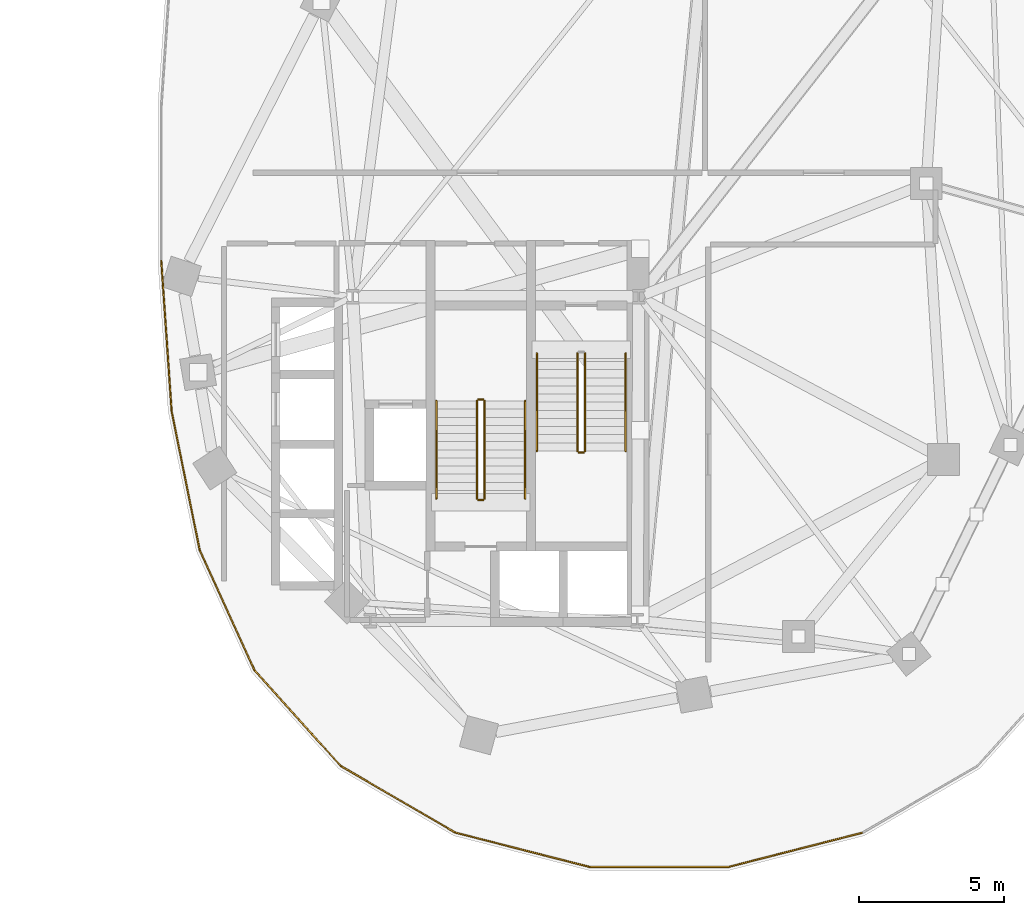
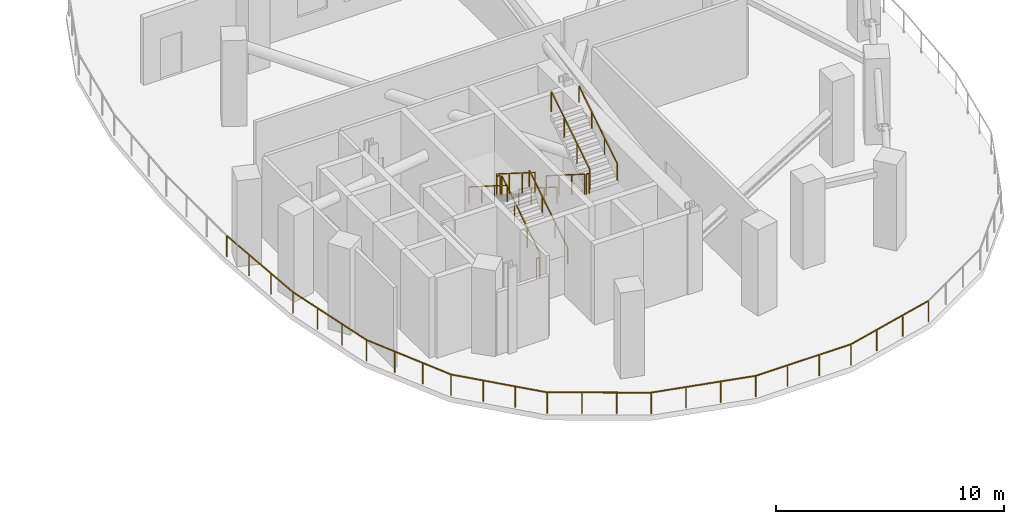
# One storey, part 11 of 13: 15 railings.
"""IFC4 building model written with IfcOpenShell, lengths in metres."""

from ifc_helpers import new_model, si_unit, direction, frame, origin, origin_2d, place, context, subcontext, project, spatial, rectangle, extrude, material, type_object, element, save


model = new_model("IFC4")

# Units and contexts
model_context = context("Model", 3, precision=1e-05, world=origin(), true_north=direction((0.0, 1.0)))
body_context = subcontext(model_context, "Body", "Model", "MODEL_VIEW")
ifc_project = project(units=[si_unit("LENGTHUNIT", "METRE"), si_unit("AREAUNIT", "SQUARE_METRE"), si_unit("VOLUMEUNIT", "CUBIC_METRE"), si_unit("PLANEANGLEUNIT", "RADIAN"), si_unit("MASSUNIT", "GRAM", prefix="KILO"), si_unit("THERMODYNAMICTEMPERATUREUNIT", "KELVIN"), si_unit("POWERUNIT", "WATT")], contexts=[model_context])

# Site, building, storey
site_placement = place(None, origin())
site = spatial("IfcSite", under=ifc_project, at=site_placement, CompositionType="ELEMENT")
building_placement = place(site_placement, origin())
building = spatial("IfcBuilding", under=site, at=building_placement, Name="Cundina Bronze Exchange", CompositionType="ELEMENT")
storey_placement = place(building_placement, frame((0.0, 0.0, 77.199951171875)))
storey = spatial("IfcBuildingStorey", under=building, at=storey_placement, Name="L19", CompositionType="ELEMENT", Elevation=77.199951171875)

# Railings
ifc_material_1 = material(Name="Anodised Bronze Aluminium 6063-T6", Category="aluminium")
railing_type_1 = type_object("IfcRailingType", Name="RLG-GRD-1150", PredefinedType="GUARDRAIL", material=ifc_material_1)
railing_1_placement = place(storey_placement, frame((39.01611328125, -22.351806640625, 0.0)))
element("IfcRailing", 1, at=railing_1_placement, inside=storey, type_object=railing_type_1, Name="L19 Perimeter Safety Guardrail 04", PredefinedType="GUARDRAIL", context=body_context, shape_type="SweptSolid", body=[
    extrude(rectangle(XDim=0.048095703125, YDim=0.048095703125, at=origin_2d()), frame((0.0, 0.0, 1.1259765625), z_axis=(-0.968744989664, -0.248058753123, 0.0), x_axis=(0.248058753123, -0.968744989664, 0.0)), (0.0, 0.0, 1.0), 4.749755859375),
    extrude(rectangle(XDim=0.048095703125, YDim=0.048095703125, at=origin_2d()), frame((-4.601318359375, -1.17822265625, 1.1259765625), z_axis=(-1.0, 0.0, 0.0), x_axis=(0.0, -1.0, 0.0)), (0.0, 0.0, 1.0), 4.82958984375),
    extrude(rectangle(XDim=0.0419921875, YDim=0.0419921875, at=origin_2d()), origin(), (0.0, 0.0, 1.0), 1.101806640625),
    extrude(rectangle(XDim=0.0419921875, YDim=0.0419921875, at=origin_2d()), frame((-1.53369140625, -0.392822265625, 0.0)), (0.0, 0.0, 1.0), 1.101806640625),
    extrude(rectangle(XDim=0.0419921875, YDim=0.0419921875, at=origin_2d()), frame((-3.067626953125, -0.785400390625, 0.0)), (0.0, 0.0, 1.0), 1.101806640625),
    extrude(rectangle(XDim=0.0419921875, YDim=0.0419921875, at=origin_2d()), frame((-4.601318359375, -1.17822265625, 0.0)), (0.0, 0.0, 1.0), 1.101806640625),
    extrude(rectangle(XDim=0.0419921875, YDim=0.0419921875, at=origin_2d()), frame((-6.211181640625, -1.17822265625, 0.0)), (0.0, 0.0, 1.0), 1.101806640625),
    extrude(rectangle(XDim=0.0419921875, YDim=0.0419921875, at=origin_2d()), frame((-7.821044921875, -1.17822265625, 0.0)), (0.0, 0.0, 1.0), 1.101806640625),
    extrude(rectangle(XDim=0.0419921875, YDim=0.0419921875, at=origin_2d()), frame((-9.430908203125, -1.17822265625, 0.0)), (0.0, 0.0, 1.0), 1.101806640625),
])
railing_2_placement = place(storey_placement, frame((29.585205078125, -23.530029296875, 0.0)))
element("IfcRailing", 2, at=railing_2_placement, inside=storey, type_object=railing_type_1, Name="L19 Perimeter Safety Guardrail 05", PredefinedType="GUARDRAIL", context=body_context, shape_type="SweptSolid", body=[
    extrude(rectangle(XDim=0.048095703125, YDim=0.048095703125, at=origin_2d()), frame((0.0, 0.0, 1.1259765625), z_axis=(-0.968744989664, 0.248058753123, 0.0), x_axis=(-0.248058753123, -0.968744989664, 0.0)), (0.0, 0.0, 1.0), 4.749755859375),
    extrude(rectangle(XDim=0.048095703125, YDim=0.048095703125, at=origin_2d()), frame((-4.601318359375, 1.17822265625, 1.1259765625), z_axis=(-0.864468804017, 0.502686469762, 0.0), x_axis=(-0.502686469762, -0.864468804017, 0.0)), (0.0, 0.0, 1.0), 4.56396484375),
    extrude(rectangle(XDim=0.0419921875, YDim=0.0419921875, at=origin_2d()), origin(), (0.0, 0.0, 1.0), 1.101806640625),
    extrude(rectangle(XDim=0.0419921875, YDim=0.0419921875, at=origin_2d()), frame((-1.53369140625, 0.392822265625, 0.0)), (0.0, 0.0, 1.0), 1.101806640625),
    extrude(rectangle(XDim=0.0419921875, YDim=0.0419921875, at=origin_2d()), frame((-3.067626953125, 0.785400390625, 0.0)), (0.0, 0.0, 1.0), 1.101806640625),
    extrude(rectangle(XDim=0.0419921875, YDim=0.0419921875, at=origin_2d()), frame((-4.601318359375, 1.17822265625, 0.0)), (0.0, 0.0, 1.0), 1.101806640625),
    extrude(rectangle(XDim=0.0419921875, YDim=0.0419921875, at=origin_2d()), frame((-5.91650390625, 1.94287109375, 0.0)), (0.0, 0.0, 1.0), 1.101806640625),
    extrude(rectangle(XDim=0.0419921875, YDim=0.0419921875, at=origin_2d()), frame((-7.2314453125, 2.707763671875, 0.0)), (0.0, 0.0, 1.0), 1.101806640625),
    extrude(rectangle(XDim=0.0419921875, YDim=0.0419921875, at=origin_2d()), frame((-8.546630859375, 3.472412109375, 0.0)), (0.0, 0.0, 1.0), 1.101806640625),
])
railing_3_placement = place(storey_placement, frame((21.03857421875, -20.0576171875, 0.0)))
element("IfcRailing", 3, at=railing_3_placement, inside=storey, type_object=railing_type_1, Name="L19 Perimeter Safety Guardrail 06", PredefinedType="GUARDRAIL", context=body_context, shape_type="SweptSolid", body=[
    extrude(rectangle(XDim=0.048095703125, YDim=0.048095703125, at=origin_2d()), frame((0.0, 0.0, 1.1259765625), z_axis=(-0.669381252421, 0.742919066189, 0.0), x_axis=(-0.742919066189, -0.669381252421, 0.0)), (0.0, 0.0, 1.0), 4.435546875),
    extrude(rectangle(XDim=0.048095703125, YDim=0.048095703125, at=origin_2d()), frame((-2.968994140625, 3.295166015625, 1.1259765625), z_axis=(-0.415419797692, 0.909629810244, 0.0), x_axis=(-0.909629810244, -0.415419797692, 0.0)), (0.0, 0.0, 1.0), 4.548828125),
    extrude(rectangle(XDim=0.0419921875, YDim=0.0419921875, at=origin_2d()), origin(), (0.0, 0.0, 1.0), 1.101806640625),
    extrude(rectangle(XDim=0.0419921875, YDim=0.0419921875, at=origin_2d()), frame((-0.98974609375, 1.098388671875, 0.0)), (0.0, 0.0, 1.0), 1.101806640625),
    extrude(rectangle(XDim=0.0419921875, YDim=0.0419921875, at=origin_2d()), frame((-1.979248046875, 2.19677734375, 0.0)), (0.0, 0.0, 1.0), 1.101806640625),
    extrude(rectangle(XDim=0.0419921875, YDim=0.0419921875, at=origin_2d()), frame((-2.968994140625, 3.295166015625, 0.0)), (0.0, 0.0, 1.0), 1.101806640625),
    extrude(rectangle(XDim=0.0419921875, YDim=0.0419921875, at=origin_2d()), frame((-3.598876953125, 4.67431640625, 0.0)), (0.0, 0.0, 1.0), 1.101806640625),
    extrude(rectangle(XDim=0.0419921875, YDim=0.0419921875, at=origin_2d()), frame((-4.228759765625, 6.0537109375, 0.0)), (0.0, 0.0, 1.0), 1.101806640625),
    extrude(rectangle(XDim=0.0419921875, YDim=0.0419921875, at=origin_2d()), frame((-4.858642578125, 7.432861328125, 0.0)), (0.0, 0.0, 1.0), 1.101806640625),
])
railing_4_placement = place(storey_placement, frame((16.179931640625, -12.624755859375, 0.0)))
element("IfcRailing", 4, at=railing_4_placement, inside=storey, type_object=railing_type_1, Name="L19 Perimeter Safety Guardrail 07", PredefinedType="GUARDRAIL", context=body_context, shape_type="SweptSolid", body=[
    extrude(rectangle(XDim=0.048095703125, YDim=0.048095703125, at=origin_2d()), frame((0.0, 0.0, 1.1259765625), z_axis=(-0.198060616224, 0.980189773616, 0.0), x_axis=(-0.980189773616, -0.198060616224, 0.0)), (0.0, 0.0, 1.0), 4.87646484375),
    extrude(rectangle(XDim=0.048095703125, YDim=0.048095703125, at=origin_2d()), frame((-0.9658203125, 4.77978515625, 1.1259765625), z_axis=(-0.068548934488, 0.997647755263, 0.0), x_axis=(-0.997647755263, -0.068548934488, 0.0)), (0.0, 0.0, 1.0), 5.1962890625),
    extrude(rectangle(XDim=0.0419921875, YDim=0.0419921875, at=origin_2d()), origin(), (0.0, 0.0, 1.0), 1.101806640625),
    extrude(rectangle(XDim=0.0419921875, YDim=0.0419921875, at=origin_2d()), frame((-0.322021484375, 1.59326171875, 0.0)), (0.0, 0.0, 1.0), 1.101806640625),
    extrude(rectangle(XDim=0.0419921875, YDim=0.0419921875, at=origin_2d()), frame((-0.643798828125, 3.1865234375, 0.0)), (0.0, 0.0, 1.0), 1.101806640625),
    extrude(rectangle(XDim=0.0419921875, YDim=0.0419921875, at=origin_2d()), frame((-0.9658203125, 4.77978515625, 0.0)), (0.0, 0.0, 1.0), 1.101806640625),
    extrude(rectangle(XDim=0.0419921875, YDim=0.0419921875, at=origin_2d()), frame((-1.08447265625, 6.5078125, 0.0)), (0.0, 0.0, 1.0), 1.101806640625),
    extrude(rectangle(XDim=0.0419921875, YDim=0.0419921875, at=origin_2d()), frame((-1.203369140625, 8.23583984375, 0.0)), (0.0, 0.0, 1.0), 1.101806640625),
    extrude(rectangle(XDim=0.0419921875, YDim=0.0419921875, at=origin_2d()), frame((-1.322021484375, 9.9638671875, 0.0)), (0.0, 0.0, 1.0), 1.101806640625),
])
ifc_material_2 = material(Name="Steel ASTM A36 Painted", Category="steel")
railing_type_2 = type_object("IfcRailingType", Name="RLG-HND-900", PredefinedType="HANDRAIL", material=ifc_material_2)
railing_5_placement = place(storey_placement, frame((27.7900390625, -5.85009765625, 0.177001953125)))
element("IfcRailing", 5, at=railing_5_placement, inside=storey, type_object=railing_type_2, Name="L19 ST-E1 stair handrail 1", PredefinedType="HANDRAIL", context=body_context, shape_type="SweptSolid", body=[
    extrude(rectangle(XDim=0.048095703125, YDim=0.048095703125, at=origin_2d()), frame((0.0, 0.0, 0.8759765625), z_axis=(0.0, -0.845372108799, 0.534177870812), x_axis=(1.0, 0.0, 0.0)), (0.0, 0.0, 1.0), 3.974365234375),
    extrude(rectangle(XDim=0.0419921875, YDim=0.0419921875, at=origin_2d()), origin(), (0.0, 0.0, 1.0), 0.851806640625),
    extrude(rectangle(XDim=0.0419921875, YDim=0.0419921875, at=origin_2d()), frame((0.0, -1.119873046875, 0.707763671875)), (0.0, 0.0, 1.0), 0.851806640625),
    extrude(rectangle(XDim=0.0419921875, YDim=0.0419921875, at=origin_2d()), frame((0.0, -2.239990234375, 1.415283203125)), (0.0, 0.0, 1.0), 0.851806640625),
    extrude(rectangle(XDim=0.0419921875, YDim=0.0419921875, at=origin_2d()), frame((0.0, -3.35986328125, 2.123046875)), (0.0, 0.0, 1.0), 0.851806640625),
])
railing_6_placement = place(storey_placement, frame((30.85009765625, -9.2099609375, 2.47705078125)))
element("IfcRailing", 6, at=railing_6_placement, inside=storey, type_object=railing_type_2, Name="L19 ST-E1 stair handrail 2", PredefinedType="HANDRAIL", context=body_context, shape_type="SweptSolid", body=[
    extrude(rectangle(XDim=0.048095703125, YDim=0.048095703125, at=origin_2d()), frame((0.0, 0.0, 0.8759765625), z_axis=(0.0, 0.845372108799, 0.534177870812), x_axis=(-1.0, 0.0, 0.0)), (0.0, 0.0, 1.0), 3.974365234375),
    extrude(rectangle(XDim=0.0419921875, YDim=0.0419921875, at=origin_2d()), origin(), (0.0, 0.0, 1.0), 0.851806640625),
    extrude(rectangle(XDim=0.0419921875, YDim=0.0419921875, at=origin_2d()), frame((0.0, 1.119873046875, 0.707763671875)), (0.0, 0.0, 1.0), 0.851806640625),
    extrude(rectangle(XDim=0.0419921875, YDim=0.0419921875, at=origin_2d()), frame((0.0, 2.239990234375, 1.415283203125)), (0.0, 0.0, 1.0), 0.851806640625),
    extrude(rectangle(XDim=0.0419921875, YDim=0.0419921875, at=origin_2d()), frame((0.0, 3.35986328125, 2.123046875)), (0.0, 0.0, 1.0), 0.851806640625),
])
railing_7_placement = place(storey_placement, frame((27.389892578125, -10.85009765625, 0.177001953125)))
element("IfcRailing", 7, at=railing_7_placement, inside=storey, type_object=railing_type_2, Name="L19 ST-E2 stair handrail 1", PredefinedType="HANDRAIL", context=body_context, shape_type="SweptSolid", body=[
    extrude(rectangle(XDim=0.048095703125, YDim=0.048095703125, at=origin_2d()), frame((0.0, 0.0, 0.8759765625), z_axis=(0.0, 0.845389635667, 0.534150132366), x_axis=(-1.0, 0.0, 0.0)), (0.0, 0.0, 1.0), 3.974609375),
    extrude(rectangle(XDim=0.0419921875, YDim=0.0419921875, at=origin_2d()), origin(), (0.0, 0.0, 1.0), 0.851806640625),
    extrude(rectangle(XDim=0.0419921875, YDim=0.0419921875, at=origin_2d()), frame((0.0, 1.1201171875, 0.707763671875)), (0.0, 0.0, 1.0), 0.851806640625),
    extrude(rectangle(XDim=0.0419921875, YDim=0.0419921875, at=origin_2d()), frame((0.0, 2.239990234375, 1.415283203125)), (0.0, 0.0, 1.0), 0.851806640625),
    extrude(rectangle(XDim=0.0419921875, YDim=0.0419921875, at=origin_2d()), frame((0.0, 3.360107421875, 2.123046875)), (0.0, 0.0, 1.0), 0.851806640625),
])
railing_8_placement = place(storey_placement, frame((24.330078125, -7.489990234375, 2.47705078125)))
element("IfcRailing", 8, at=railing_8_placement, inside=storey, type_object=railing_type_2, Name="L19 ST-E2 stair handrail 2", PredefinedType="HANDRAIL", context=body_context, shape_type="SweptSolid", body=[
    extrude(rectangle(XDim=0.048095703125, YDim=0.048095703125, at=origin_2d()), frame((0.0, 0.0, 0.8759765625), z_axis=(0.0, -0.845389635667, 0.534150132366), x_axis=(1.0, 0.0, 0.0)), (0.0, 0.0, 1.0), 3.974609375),
    extrude(rectangle(XDim=0.0419921875, YDim=0.0419921875, at=origin_2d()), origin(), (0.0, 0.0, 1.0), 0.851806640625),
    extrude(rectangle(XDim=0.0419921875, YDim=0.0419921875, at=origin_2d()), frame((0.0, -1.1201171875, 0.707763671875)), (0.0, 0.0, 1.0), 0.851806640625),
    extrude(rectangle(XDim=0.0419921875, YDim=0.0419921875, at=origin_2d()), frame((0.0, -2.239990234375, 1.415283203125)), (0.0, 0.0, 1.0), 0.851806640625),
    extrude(rectangle(XDim=0.0419921875, YDim=0.0419921875, at=origin_2d()), frame((0.0, -3.360107421875, 2.123046875)), (0.0, 0.0, 1.0), 0.851806640625),
])
railing_type_3 = type_object("IfcRailingType", Name="RLG-STG-1100", PredefinedType="GUARDRAIL", material=ifc_material_2)
railing_9_placement = place(storey_placement, frame((29.18994140625, -5.85009765625, 0.177001953125)))
element("IfcRailing", 9, at=railing_9_placement, inside=storey, type_object=railing_type_3, Name="L19 ST-E1 stair guard 1", PredefinedType="GUARDRAIL", context=body_context, shape_type="SweptSolid", body=[
    extrude(rectangle(XDim=0.048095703125, YDim=0.048095703125, at=origin_2d()), frame((0.0, 0.0, 1.076171875), z_axis=(0.0, -0.845372108799, 0.534177870812), x_axis=(1.0, 0.0, 0.0)), (0.0, 0.0, 1.0), 3.974365234375),
    extrude(rectangle(XDim=0.0419921875, YDim=0.0419921875, at=origin_2d()), origin(), (0.0, 0.0, 1.0), 1.052001953125),
    extrude(rectangle(XDim=0.0419921875, YDim=0.0419921875, at=origin_2d()), frame((0.0, -1.119873046875, 0.707763671875)), (0.0, 0.0, 1.0), 1.052001953125),
    extrude(rectangle(XDim=0.0419921875, YDim=0.0419921875, at=origin_2d()), frame((0.0, -2.239990234375, 1.415283203125)), (0.0, 0.0, 1.0), 1.052001953125),
    extrude(rectangle(XDim=0.0419921875, YDim=0.0419921875, at=origin_2d()), frame((0.0, -3.35986328125, 2.123046875)), (0.0, 0.0, 1.0), 1.052001953125),
])
railing_10_placement = place(storey_placement, frame((29.239990234375, -9.260009765625, 2.300048828125)))
element("IfcRailing", 10, at=railing_10_placement, inside=storey, type_object=railing_type_3, Name="L19 ST-E1 stair guard 2", PredefinedType="GUARDRAIL", context=body_context, shape_type="SweptSolid", body=[
    extrude(rectangle(XDim=0.048095703125, YDim=0.048095703125, at=origin_2d()), frame((0.0, 0.0, 1.076171875), z_axis=(1.0, 0.0, 0.0), x_axis=(0.0, 1.0, 0.0)), (0.0, 0.0, 1.0), 0.159912109375),
    extrude(rectangle(XDim=0.0419921875, YDim=0.0419921875, at=origin_2d()), origin(), (0.0, 0.0, 1.0), 1.052001953125),
    extrude(rectangle(XDim=0.0419921875, YDim=0.0419921875, at=origin_2d()), frame((0.159912109375, 0.0, 0.0)), (0.0, 0.0, 1.0), 1.052001953125),
])
railing_11_placement = place(storey_placement, frame((29.449951171875, -9.2099609375, 2.47705078125)))
element("IfcRailing", 11, at=railing_11_placement, inside=storey, type_object=railing_type_3, Name="L19 ST-E1 stair guard 3", PredefinedType="GUARDRAIL", context=body_context, shape_type="SweptSolid", body=[
    extrude(rectangle(XDim=0.048095703125, YDim=0.048095703125, at=origin_2d()), frame((0.0, 0.0, 1.076171875), z_axis=(0.0, 0.845372108799, 0.534177870812), x_axis=(-1.0, 0.0, 0.0)), (0.0, 0.0, 1.0), 3.974365234375),
    extrude(rectangle(XDim=0.0419921875, YDim=0.0419921875, at=origin_2d()), origin(), (0.0, 0.0, 1.0), 1.052001953125),
    extrude(rectangle(XDim=0.0419921875, YDim=0.0419921875, at=origin_2d()), frame((0.0, 1.119873046875, 0.707763671875)), (0.0, 0.0, 1.0), 1.052001953125),
    extrude(rectangle(XDim=0.0419921875, YDim=0.0419921875, at=origin_2d()), frame((0.0, 2.239990234375, 1.415283203125)), (0.0, 0.0, 1.0), 1.052001953125),
    extrude(rectangle(XDim=0.0419921875, YDim=0.0419921875, at=origin_2d()), frame((0.0, 3.35986328125, 2.123046875)), (0.0, 0.0, 1.0), 1.052001953125),
])
railing_12_placement = place(storey_placement, frame((25.989990234375, -10.85009765625, 0.177001953125)))
element("IfcRailing", 12, at=railing_12_placement, inside=storey, type_object=railing_type_3, Name="L19 ST-E2 stair guard 1", PredefinedType="GUARDRAIL", context=body_context, shape_type="SweptSolid", body=[
    extrude(rectangle(XDim=0.048095703125, YDim=0.048095703125, at=origin_2d()), frame((0.0, 0.0, 1.076171875), z_axis=(0.0, 0.845389635667, 0.534150132366), x_axis=(-1.0, 0.0, 0.0)), (0.0, 0.0, 1.0), 3.974609375),
    extrude(rectangle(XDim=0.0419921875, YDim=0.0419921875, at=origin_2d()), origin(), (0.0, 0.0, 1.0), 1.052001953125),
    extrude(rectangle(XDim=0.0419921875, YDim=0.0419921875, at=origin_2d()), frame((0.0, 1.1201171875, 0.707763671875)), (0.0, 0.0, 1.0), 1.052001953125),
    extrude(rectangle(XDim=0.0419921875, YDim=0.0419921875, at=origin_2d()), frame((0.0, 2.239990234375, 1.415283203125)), (0.0, 0.0, 1.0), 1.052001953125),
    extrude(rectangle(XDim=0.0419921875, YDim=0.0419921875, at=origin_2d()), frame((0.0, 3.360107421875, 2.123046875)), (0.0, 0.0, 1.0), 1.052001953125),
])
railing_13_placement = place(storey_placement, frame((25.93994140625, -7.43994140625, 2.300048828125)))
element("IfcRailing", 13, at=railing_13_placement, inside=storey, type_object=railing_type_3, Name="L19 ST-E2 stair guard 2", PredefinedType="GUARDRAIL", context=body_context, shape_type="SweptSolid", body=[
    extrude(rectangle(XDim=0.048095703125, YDim=0.048095703125, at=origin_2d()), frame((0.0, 0.0, 1.076171875), z_axis=(-1.0, 0.0, 0.0), x_axis=(0.0, -1.0, 0.0)), (0.0, 0.0, 1.0), 0.159912109375),
    extrude(rectangle(XDim=0.0419921875, YDim=0.0419921875, at=origin_2d()), origin(), (0.0, 0.0, 1.0), 1.052001953125),
    extrude(rectangle(XDim=0.0419921875, YDim=0.0419921875, at=origin_2d()), frame((-0.159912109375, 0.0, 0.0)), (0.0, 0.0, 1.0), 1.052001953125),
])
railing_14_placement = place(storey_placement, frame((25.72998046875, -7.489990234375, 2.47705078125)))
element("IfcRailing", 14, at=railing_14_placement, inside=storey, type_object=railing_type_3, Name="L19 ST-E2 stair guard 3", PredefinedType="GUARDRAIL", context=body_context, shape_type="SweptSolid", body=[
    extrude(rectangle(XDim=0.048095703125, YDim=0.048095703125, at=origin_2d()), frame((0.0, 0.0, 1.076171875), z_axis=(0.0, -0.845389635667, 0.534150132366), x_axis=(1.0, 0.0, 0.0)), (0.0, 0.0, 1.0), 3.974609375),
    extrude(rectangle(XDim=0.0419921875, YDim=0.0419921875, at=origin_2d()), origin(), (0.0, 0.0, 1.0), 1.052001953125),
    extrude(rectangle(XDim=0.0419921875, YDim=0.0419921875, at=origin_2d()), frame((0.0, -1.1201171875, 0.707763671875)), (0.0, 0.0, 1.0), 1.052001953125),
    extrude(rectangle(XDim=0.0419921875, YDim=0.0419921875, at=origin_2d()), frame((0.0, -2.239990234375, 1.415283203125)), (0.0, 0.0, 1.0), 1.052001953125),
    extrude(rectangle(XDim=0.0419921875, YDim=0.0419921875, at=origin_2d()), frame((0.0, -3.360107421875, 2.123046875)), (0.0, 0.0, 1.0), 1.052001953125),
])
railing_15_placement = place(storey_placement, frame((25.93994140625, -10.89990234375, 0.0)))
element("IfcRailing", 15, at=railing_15_placement, inside=storey, type_object=railing_type_3, Name="L19 ST-E2 stair guard 4", PredefinedType="GUARDRAIL", context=body_context, shape_type="SweptSolid", body=[
    extrude(rectangle(XDim=0.048095703125, YDim=0.048095703125, at=origin_2d()), frame((0.0, 0.0, 1.076171875), z_axis=(-1.0, 0.0, 0.0), x_axis=(0.0, -1.0, 0.0)), (0.0, 0.0, 1.0), 0.159912109375),
    extrude(rectangle(XDim=0.0419921875, YDim=0.0419921875, at=origin_2d()), origin(), (0.0, 0.0, 1.0), 1.052001953125),
    extrude(rectangle(XDim=0.0419921875, YDim=0.0419921875, at=origin_2d()), frame((-0.159912109375, 0.0, 0.0)), (0.0, 0.0, 1.0), 1.052001953125),
])

save(model, "model.ifc")
